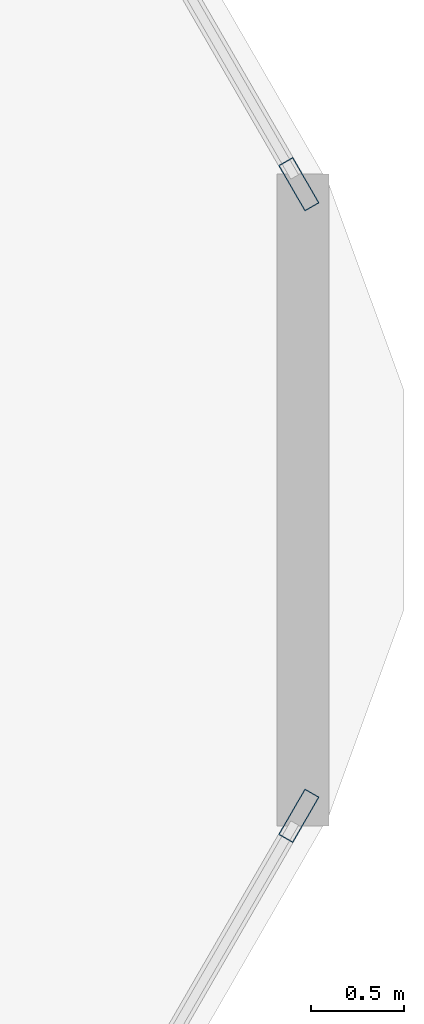
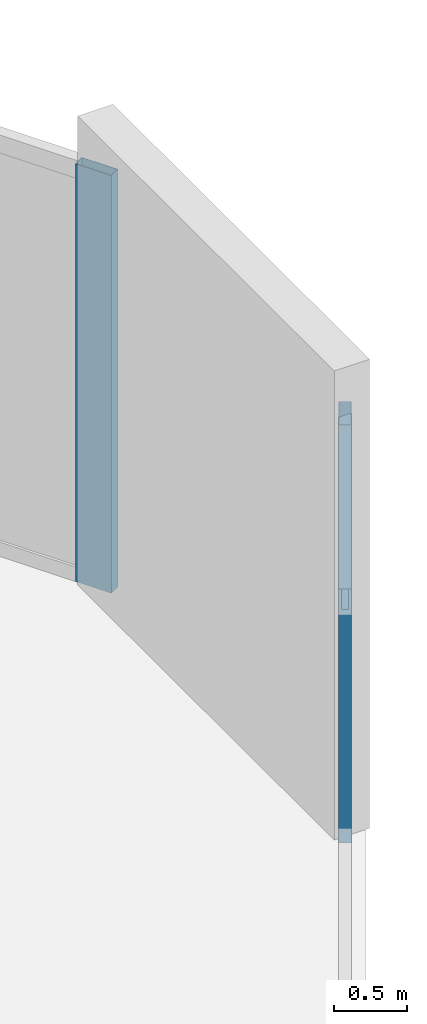
# One storey, part 20 of 25: 2 members, 2 elements without a shape of their own.
"""IFC4 building model written with IfcOpenShell, lengths in metres."""

from ifc_helpers import new_model, si_unit, direction, frame, origin, origin_2d, place, context, subcontext, project, spatial, hollow_rectangle, extrude, material, material_profile, profile_set, type_object, element, aggregate, save


model = new_model("IFC4")

# Units and contexts
model_context = context("Model", 3, precision=1e-05, world=origin(), true_north=direction((0.0, 1.0)))
body_context = subcontext(model_context, "Body", "Model", "MODEL_VIEW")
ifc_project = project(units=[si_unit("LENGTHUNIT", "METRE"), si_unit("AREAUNIT", "SQUARE_METRE"), si_unit("VOLUMEUNIT", "CUBIC_METRE"), si_unit("PLANEANGLEUNIT", "RADIAN"), si_unit("MASSUNIT", "GRAM", prefix="KILO")], contexts=[model_context])

# Site, building, storey
site_placement = place(None, origin())
site = spatial("IfcSite", under=ifc_project, at=site_placement, CompositionType="ELEMENT")
building_placement = place(site_placement, origin())
building = spatial("IfcBuilding", under=site, at=building_placement, Name="Zuhravey Tower", CompositionType="ELEMENT")
storey_placement = place(building_placement, frame((0.0, 0.0, 54.0)))
storey = spatial("IfcBuildingStorey", under=building, at=storey_placement, Name="L13", CompositionType="ELEMENT", Elevation=54.0)

# Curtain wall, member
ifc_material_1 = material(Name="Thermally broken anodised aluminium", Category="aluminium")
curtain_wall_type = type_object("IfcCurtainWallType", Name="School Low-E Unitised Curtain Wall CW1", PredefinedType="NOTDEFINED", material=ifc_material_1)
curtain_wall_1_placement = place(storey_placement, origin())
curtain_wall_1 = element("IfcCurtainWall", 1, at=curtain_wall_1_placement, inside=storey, type_object=curtain_wall_type, Name="L13 CW1 CW-L13-F6-1", PredefinedType="NOTDEFINED")
ifc_material_2 = material(Name="Anodised aluminium", Category="aluminium")
ifc_material_profile = material_profile(ifc_material_2, hollow_rectangle(XDim=0.090087890625, YDim=0.284912109375, WallThickness=0.0048828125, at=origin_2d()), Name="ALU-RHS-90x285x5")
ifc_profile_set = profile_set([ifc_material_profile], Name="Anodised aluminium")
member_type = type_object("IfcMemberType", Name="Curtain-Wall Mullion 90x180", PredefinedType="MULLION", material=ifc_profile_set)
member_1_placement = place(storey_placement, frame((68.4560546875, 30.298583984375, 0.0), z_axis=(0.0, 0.0, 1.0), x_axis=(0.86602552265, -0.499999794119, 0.0)))
member_1 = element("IfcMember", 2, at=member_1_placement, type_object=member_type, Name="CW1 mullion 1", PredefinedType="MULLION", context=body_context, shape_type="SweptSolid", body=[
    extrude(hollow_rectangle(XDim=0.090087890625, YDim=0.284912109375, WallThickness=0.0048828125, at=origin_2d()), origin(), (0.0, 0.0, 1.0), 3.491943359375),
])
aggregate(curtain_wall_1, [member_1])

curtain_wall_2_placement = place(storey_placement, origin())
curtain_wall_2 = element("IfcCurtainWall", 3, at=curtain_wall_2_placement, inside=storey, type_object=curtain_wall_type, Name="L13 CW1 CW-L13-F1-1", PredefinedType="NOTDEFINED")
member_2_placement = place(storey_placement, frame((68.4560546875, 33.701416015625, 0.0), z_axis=(0.0, 0.0, 1.0), x_axis=(0.86602552265, 0.499999794119, 0.0)))
member_2 = element("IfcMember", 4, at=member_2_placement, type_object=member_type, Name="CW1 mullion 4", PredefinedType="MULLION", context=body_context, shape_type="SweptSolid", body=[
    extrude(hollow_rectangle(XDim=0.090087890625, YDim=0.284912109375, WallThickness=0.0048828125, at=origin_2d()), origin(), (0.0, 0.0, 1.0), 3.491943359375),
])
aggregate(curtain_wall_2, [member_2])

save(model, "model.ifc")
